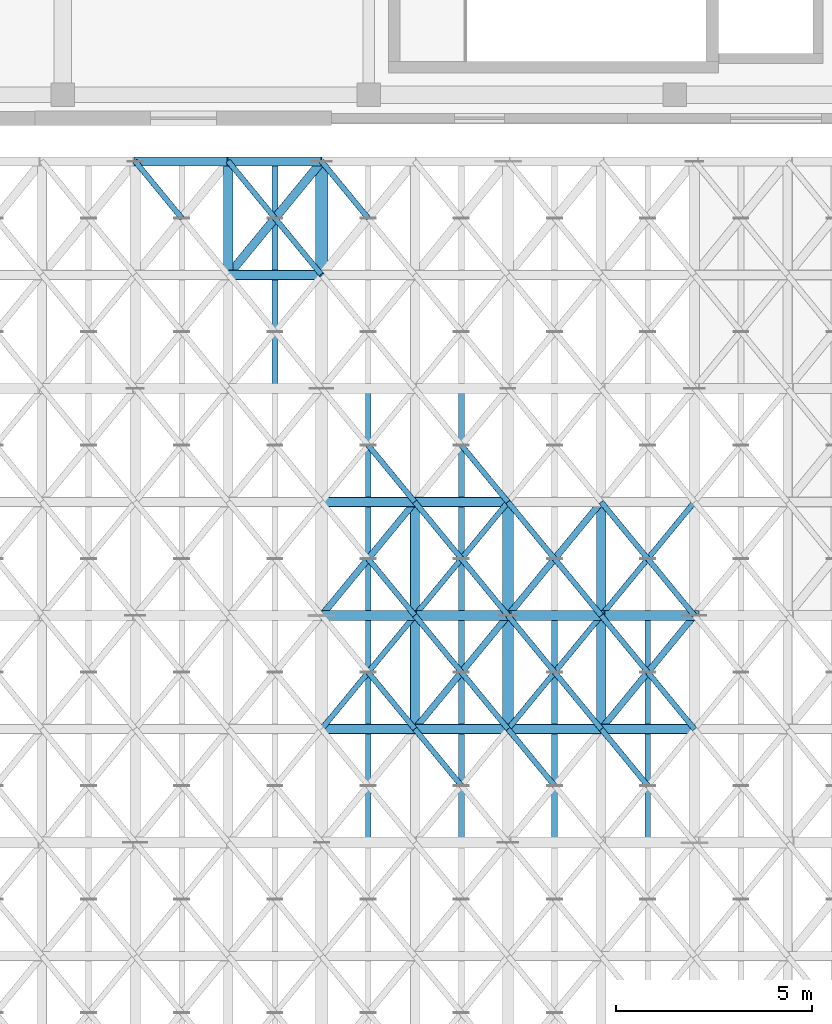
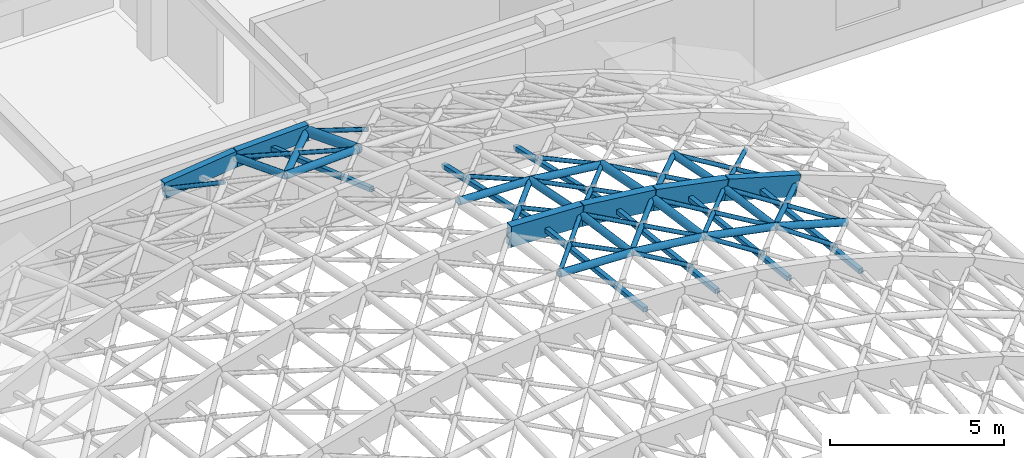
# One storey, part 71 of 146: 54 members, 6 beams.
"""IFC4 building model written with IfcOpenShell, lengths in metres."""

from ifc_helpers import new_model, si_unit, direction, frame, origin, origin_2d, place, context, subcontext, project, spatial, rectangle, hollow_rectangle, hollow_circle, extrude, material, material_profile, profile_set, type_object, element, save


model = new_model("IFC4")

# Units and contexts
model_context = context("Model", 3, precision=1e-05, world=origin(), true_north=direction((0.0, 1.0)))
body_context = subcontext(model_context, "Body", "Model", "MODEL_VIEW")
ifc_project = project(units=[si_unit("LENGTHUNIT", "METRE"), si_unit("AREAUNIT", "SQUARE_METRE"), si_unit("VOLUMEUNIT", "CUBIC_METRE"), si_unit("PLANEANGLEUNIT", "RADIAN"), si_unit("MASSUNIT", "GRAM", prefix="KILO")], contexts=[model_context])

# Site, building, storey
site_placement = place(None, origin())
site = spatial("IfcSite", under=ifc_project, at=site_placement, CompositionType="ELEMENT")
building_placement = place(site_placement, origin())
building = spatial("IfcBuilding", under=site, at=building_placement, Name="Valcora Specialist Clinic", CompositionType="ELEMENT")
storey_placement = place(building_placement, frame((0.0, 0.0, 9.52001953125)))
storey = spatial("IfcBuildingStorey", under=building, at=storey_placement, Name="L02", CompositionType="ELEMENT", Elevation=9.52001953125)

# Beams
ifc_material_1 = material(Name="Glulam Conifer Class 24F", Category="wood")
ifc_material_profile_1 = material_profile(ifc_material_1, rectangle(XDim=0.219970703125, YDim=0.56005859375, at=origin_2d()), Name="GL-ARC-220X560")
ifc_profile_set_1 = profile_set([ifc_material_profile_1], Name="Glulam Conifer Class 24F")
beam_type_1 = type_object("IfcBeamType", Name="TY-AR-GL560", PredefinedType="JOIST", material=ifc_profile_set_1)
beam_1_placement = place(storey_placement, frame((10.25, 79.25, 3.920654296875), z_axis=(0.993061123194, 0.0, 0.117599343536), x_axis=(0.0, 1.0, 0.0)))
element("IfcBeam", 1, at=beam_1_placement, inside=storey, type_object=beam_type_1, Name="Gridshell glulam arch chord BM-GSA-089", PredefinedType="JOIST", context=body_context, shape_type="SweptSolid", body=[
    extrude(rectangle(XDim=0.219970703125, YDim=0.56005859375, at=origin_2d()), origin(), (0.0, 0.0, 1.0), 2.3916015625),
])
beam_2_placement = place(storey_placement, frame((12.625, 79.25, 4.201904296875), z_axis=(0.999229898969, 0.0, 0.039237851707), x_axis=(0.0, 1.0, 0.0)))
element("IfcBeam", 2, at=beam_2_placement, inside=storey, type_object=beam_type_1, Name="Gridshell glulam arch chord BM-GSA-090", PredefinedType="JOIST", context=body_context, shape_type="SweptSolid", body=[
    extrude(rectangle(XDim=0.219970703125, YDim=0.56005859375, at=origin_2d()), origin(), (0.0, 0.0, 1.0), 2.376708984375),
])
ifc_material_profile_2 = material_profile(ifc_material_1, rectangle(XDim=0.260009765625, YDim=0.719970703125, at=origin_2d()), Name="GL-ARC-260X720")
ifc_profile_set_2 = profile_set([ifc_material_profile_2], Name="Glulam Conifer Class 24F")
beam_type_2 = type_object("IfcBeamType", Name="TY-AR-GL720", PredefinedType="JOIST", material=ifc_profile_set_2)
beam_3_placement = place(storey_placement, frame((15.0, 67.678955078125, 7.670654296875), z_axis=(0.999229898969, 0.0, -0.039237851707), x_axis=(0.0, 1.0, 0.0)))
element("IfcBeam", 3, at=beam_3_placement, inside=storey, type_object=beam_type_2, Name="Gridshell glulam arch chord BM-GSA-067", PredefinedType="JOIST", context=body_context, shape_type="SweptSolid", body=[
    extrude(rectangle(XDim=0.260009765625, YDim=0.719970703125, at=origin_2d()), origin(), (0.0, 0.0, 1.0), 2.376708984375),
])
beam_4_placement = place(storey_placement, frame((17.375, 67.678955078125, 7.577392578125), z_axis=(0.993061123194, 0.0, -0.117599343536), x_axis=(0.0, 1.0, 0.0)))
element("IfcBeam", 4, at=beam_4_placement, inside=storey, type_object=beam_type_2, Name="Gridshell glulam arch chord BM-GSA-068", PredefinedType="JOIST", context=body_context, shape_type="SweptSolid", body=[
    extrude(rectangle(XDim=0.260009765625, YDim=0.719970703125, at=origin_2d()), origin(), (0.0, 0.0, 1.0), 2.3916015625),
])
beam_5_placement = place(storey_placement, frame((19.75, 67.678955078125, 7.296142578125), z_axis=(0.980592304853, 0.0, -0.19605798036), x_axis=(0.0, 1.0, 0.0)))
element("IfcBeam", 5, at=beam_5_placement, inside=storey, type_object=beam_type_2, Name="Gridshell glulam arch chord BM-GSA-069", PredefinedType="JOIST", context=body_context, shape_type="SweptSolid", body=[
    extrude(rectangle(XDim=0.260009765625, YDim=0.719970703125, at=origin_2d()), origin(), (0.0, 0.0, 1.0), 2.422119140625),
])
beam_6_placement = place(storey_placement, frame((22.125, 67.678955078125, 6.8212890625), z_axis=(0.961639501517, 0.0, -0.274316366849), x_axis=(0.0, 1.0, 0.0)))
element("IfcBeam", 6, at=beam_6_placement, inside=storey, type_object=beam_type_2, Name="Gridshell glulam arch chord BM-GSA-070", PredefinedType="JOIST", context=body_context, shape_type="SweptSolid", body=[
    extrude(rectangle(XDim=0.260009765625, YDim=0.719970703125, at=origin_2d()), origin(), (0.0, 0.0, 1.0), 2.4697265625),
])

# Members
ifc_material_2 = material(Name="Steel ASTM A500 Grade C", Category="steel")
ifc_material_profile_3 = material_profile(ifc_material_2, hollow_circle(Radius=0.1220703125, WallThickness=0.010009765625, at=origin_2d()), Name="ST-CHS-244X10")
ifc_profile_set_3 = profile_set([ifc_material_profile_3], Name="Steel ASTM A500 Grade C")
member_type_1 = type_object("IfcMemberType", Name="TY-MB-GSC244", PredefinedType="CHORD", material=ifc_profile_set_3)
member_1_placement = place(storey_placement, frame((12.625, 76.35693359375, 5.324462890625), z_axis=(0.0, 0.93227902247, -0.361739995386), x_axis=(-1.0, 0.0, 0.0)))
element("IfcMember", 7, at=member_1_placement, inside=storey, type_object=member_type_1, Name="Gridshell longitudinal chord MB-L02-0084", PredefinedType="CHORD", context=body_context, shape_type="SweptSolid", body=[
    extrude(hollow_circle(Radius=0.1220703125, WallThickness=0.010009765625, at=origin_2d()), origin(), (0.0, 0.0, 1.0), 3.103271484375),
])
member_2_placement = place(storey_placement, frame((17.375, 64.785888671875, 7.98388671875), z_axis=(0.0, 0.990272777431, -0.139139592778), x_axis=(-1.0, 0.0, 0.0)))
element("IfcMember", 8, at=member_2_placement, inside=storey, type_object=member_type_1, Name="Gridshell longitudinal chord MB-L02-0108", PredefinedType="CHORD", context=body_context, shape_type="SweptSolid", body=[
    extrude(hollow_circle(Radius=0.1220703125, WallThickness=0.010009765625, at=origin_2d()), origin(), (0.0, 0.0, 1.0), 2.92138671875),
])
member_3_placement = place(storey_placement, frame((17.375, 67.678955078125, 7.577392578125), z_axis=(0.0, 0.980853597768, -0.194746552587), x_axis=(-1.0, 0.0, 0.0)))
element("IfcMember", 9, at=member_3_placement, inside=storey, type_object=member_type_1, Name="Gridshell longitudinal chord MB-L02-0109", PredefinedType="CHORD", context=body_context, shape_type="SweptSolid", body=[
    extrude(hollow_circle(Radius=0.1220703125, WallThickness=0.010009765625, at=origin_2d()), origin(), (0.0, 0.0, 1.0), 2.948486328125),
])
member_4_placement = place(storey_placement, frame((22.125, 64.785888671875, 7.227783203125), z_axis=(0.0, 0.990272777431, -0.139139592778), x_axis=(-1.0, 0.0, 0.0)))
element("IfcMember", 10, at=member_4_placement, inside=storey, type_object=member_type_1, Name="Gridshell longitudinal chord MB-L02-0136", PredefinedType="CHORD", context=body_context, shape_type="SweptSolid", body=[
    extrude(hollow_circle(Radius=0.1220703125, WallThickness=0.010009765625, at=origin_2d()), origin(), (0.0, 0.0, 1.0), 2.92138671875),
])
member_5_placement = place(storey_placement, frame((22.125, 67.678955078125, 6.8212890625), z_axis=(0.0, 0.980853597768, -0.194746552587), x_axis=(-1.0, 0.0, 0.0)))
element("IfcMember", 11, at=member_5_placement, inside=storey, type_object=member_type_1, Name="Gridshell longitudinal chord MB-L02-0137", PredefinedType="CHORD", context=body_context, shape_type="SweptSolid", body=[
    extrude(hollow_circle(Radius=0.1220703125, WallThickness=0.010009765625, at=origin_2d()), origin(), (0.0, 0.0, 1.0), 2.948486328125),
])
member_6_placement = place(storey_placement, frame((15.0, 64.785888671875, 8.0771484375), z_axis=(0.999229898969, 0.0, -0.039237851707), x_axis=(0.0, 1.0, 0.0)))
element("IfcMember", 12, at=member_6_placement, inside=storey, type_object=member_type_1, Name="Gridshell secondary transverse chord MB-L02-0321", PredefinedType="CHORD", context=body_context, shape_type="SweptSolid", body=[
    extrude(hollow_circle(Radius=0.1220703125, WallThickness=0.010009765625, at=origin_2d()), origin(), (0.0, 0.0, 1.0), 2.376708984375),
])
member_7_placement = place(storey_placement, frame((17.375, 64.785888671875, 7.98388671875), z_axis=(0.993061123194, 0.0, -0.117599343536), x_axis=(0.0, 1.0, 0.0)))
element("IfcMember", 13, at=member_7_placement, inside=storey, type_object=member_type_1, Name="Gridshell secondary transverse chord MB-L02-0322", PredefinedType="CHORD", context=body_context, shape_type="SweptSolid", body=[
    extrude(hollow_circle(Radius=0.1220703125, WallThickness=0.010009765625, at=origin_2d()), origin(), (0.0, 0.0, 1.0), 2.3916015625),
])
member_8_placement = place(storey_placement, frame((19.75, 64.785888671875, 7.70263671875), z_axis=(0.980592304853, 0.0, -0.19605798036), x_axis=(0.0, 1.0, 0.0)))
element("IfcMember", 14, at=member_8_placement, inside=storey, type_object=member_type_1, Name="Gridshell secondary transverse chord MB-L02-0323", PredefinedType="CHORD", context=body_context, shape_type="SweptSolid", body=[
    extrude(hollow_circle(Radius=0.1220703125, WallThickness=0.010009765625, at=origin_2d()), origin(), (0.0, 0.0, 1.0), 2.422119140625),
])
member_9_placement = place(storey_placement, frame((22.125, 64.785888671875, 7.227783203125), z_axis=(0.961613421173, 0.0, -0.274407777259), x_axis=(0.0, 1.0, 0.0)))
element("IfcMember", 15, at=member_9_placement, inside=storey, type_object=member_type_1, Name="Gridshell secondary transverse chord MB-L02-0324", PredefinedType="CHORD", context=body_context, shape_type="SweptSolid", body=[
    extrude(hollow_circle(Radius=0.1220703125, WallThickness=0.010009765625, at=origin_2d()), origin(), (0.0, 0.0, 1.0), 2.4697265625),
])
member_10_placement = place(storey_placement, frame((15.0, 70.571044921875, 7.09619140625), z_axis=(0.999233921008, 0.0, -0.039135292342), x_axis=(0.0, 1.0, 0.0)))
element("IfcMember", 16, at=member_10_placement, inside=storey, type_object=member_type_1, Name="Gridshell secondary transverse chord MB-L02-0333", PredefinedType="CHORD", context=body_context, shape_type="SweptSolid", body=[
    extrude(hollow_circle(Radius=0.1220703125, WallThickness=0.010009765625, at=origin_2d()), origin(), (0.0, 0.0, 1.0), 2.376708984375),
])
member_11_placement = place(storey_placement, frame((17.375, 70.571044921875, 7.003173828125), z_axis=(0.993049196669, 0.0, -0.117700012722), x_axis=(0.0, 1.0, 0.0)))
element("IfcMember", 17, at=member_11_placement, inside=storey, type_object=member_type_1, Name="Gridshell secondary transverse chord MB-L02-0334", PredefinedType="CHORD", context=body_context, shape_type="SweptSolid", body=[
    extrude(hollow_circle(Radius=0.1220703125, WallThickness=0.010009765625, at=origin_2d()), origin(), (0.0, 0.0, 1.0), 2.3916015625),
])
member_12_placement = place(storey_placement, frame((12.625, 76.35693359375, 5.324462890625), z_axis=(0.999229898969, 0.0, 0.039237851707), x_axis=(0.0, 1.0, 0.0)))
element("IfcMember", 18, at=member_12_placement, inside=storey, type_object=member_type_1, Name="Gridshell secondary transverse chord MB-L02-0344", PredefinedType="CHORD", context=body_context, shape_type="SweptSolid", body=[
    extrude(hollow_circle(Radius=0.1220703125, WallThickness=0.010009765625, at=origin_2d()), origin(), (0.0, 0.0, 1.0), 2.376708984375),
])
ifc_material_profile_4 = material_profile(ifc_material_2, hollow_circle(Radius=0.136474609375, WallThickness=0.011962890625, at=origin_2d()), Name="ST-CHS-273X12")
ifc_profile_set_4 = profile_set([ifc_material_profile_4], Name="Steel ASTM A500 Grade C")
member_type_2 = type_object("IfcMemberType", Name="TY-MB-GSC273", PredefinedType="CHORD", material=ifc_profile_set_4)
member_13_placement = place(storey_placement, frame((19.75, 64.785888671875, 7.70263671875), z_axis=(0.0, 0.990272777431, -0.139139592778), x_axis=(-1.0, 0.0, 0.0)))
element("IfcMember", 19, at=member_13_placement, inside=storey, type_object=member_type_2, Name="Gridshell longitudinal chord MB-L02-0122", PredefinedType="CHORD", context=body_context, shape_type="SweptSolid", body=[
    extrude(hollow_circle(Radius=0.136474609375, WallThickness=0.011962890625, at=origin_2d()), origin(), (0.0, 0.0, 1.0), 2.92138671875),
])
member_14_placement = place(storey_placement, frame((19.75, 67.678955078125, 7.296142578125), z_axis=(0.0, 0.980837778433, -0.194826210759), x_axis=(-1.0, 0.0, 0.0)))
element("IfcMember", 20, at=member_14_placement, inside=storey, type_object=member_type_2, Name="Gridshell longitudinal chord MB-L02-0123", PredefinedType="CHORD", context=body_context, shape_type="SweptSolid", body=[
    extrude(hollow_circle(Radius=0.136474609375, WallThickness=0.011962890625, at=origin_2d()), origin(), (0.0, 0.0, 1.0), 2.948486328125),
])
ifc_material_profile_5 = material_profile(ifc_material_2, hollow_circle(Radius=0.162109375, WallThickness=0.011962890625, at=origin_2d()), Name="ST-CHS-324X12")
ifc_profile_set_5 = profile_set([ifc_material_profile_5], Name="Steel ASTM A500 Grade C")
member_type_3 = type_object("IfcMemberType", Name="TY-MB-GSC324", PredefinedType="CHORD", material=ifc_profile_set_5)
member_15_placement = place(storey_placement, frame((15.0, 76.35693359375, 5.417724609375), z_axis=(0.0, 0.93227902247, -0.361739995386), x_axis=(-1.0, 0.0, 0.0)))
element("IfcMember", 21, at=member_15_placement, inside=storey, type_object=member_type_3, Name="Gridshell longitudinal chord MB-L02-0098", PredefinedType="CHORD", context=body_context, shape_type="SweptSolid", body=[
    extrude(hollow_circle(Radius=0.162109375, WallThickness=0.011962890625, at=origin_2d()), origin(), (0.0, 0.0, 1.0), 3.103271484375),
])
ifc_material_profile_6 = material_profile(ifc_material_2, hollow_circle(Radius=0.070068359375, WallThickness=0.006103515625, at=origin_2d()), Name="ST-CHS-140X6")
ifc_profile_set_6 = profile_set([ifc_material_profile_6], Name="Steel ASTM A500 Grade C")
member_type_4 = type_object("IfcMemberType", Name="TY-MB-GSD140", PredefinedType="BRACE", material=ifc_profile_set_6)
member_16_placement = place(storey_placement, frame((15.0, 76.35693359375, 5.417724609375), z_axis=(-0.603471061066, 0.735108149017, -0.308931525916), x_axis=(-0.772915884105, -0.634508499626, 0.0)))
element("IfcMember", 22, at=member_16_placement, inside=storey, type_object=member_type_4, Name="Gridshell split counter diagrid A MB-L02-0518", PredefinedType="BRACE", context=body_context, shape_type="SweptSolid", body=[
    extrude(hollow_circle(Radius=0.070068359375, WallThickness=0.006103515625, at=origin_2d()), origin(), (0.0, 0.0, 1.0), 1.9677734375),
])
member_17_placement = place(storey_placement, frame((15.0, 64.785888671875, 8.0771484375), z_axis=(0.628927507882, 0.76611749264, -0.132341139868), x_axis=(-0.772915884105, 0.634508499626, 0.0)))
element("IfcMember", 23, at=member_17_placement, inside=storey, type_object=member_type_4, Name="Gridshell primary diagrid MB-L02-0537", PredefinedType="BRACE", context=body_context, shape_type="SweptSolid", body=[
    extrude(hollow_circle(Radius=0.070068359375, WallThickness=0.006103515625, at=origin_2d()), origin(), (0.0, 0.0, 1.0), 3.7763671875),
])
member_18_placement = place(storey_placement, frame((17.375, 64.785888671875, 7.98388671875), z_axis=(-0.632301810899, 0.770227843251, -0.083327602958), x_axis=(-0.772915884105, -0.634508499626, 0.0)))
element("IfcMember", 24, at=member_18_placement, inside=storey, type_object=member_type_4, Name="Gridshell split counter diagrid A MB-L02-0538", PredefinedType="BRACE", context=body_context, shape_type="SweptSolid", body=[
    extrude(hollow_circle(Radius=0.070068359375, WallThickness=0.006103515625, at=origin_2d()), origin(), (0.0, 0.0, 1.0), 1.878173828125),
])
member_19_placement = place(storey_placement, frame((17.375, 67.678955078125, 7.577392578125), z_axis=(-0.629459317949, 0.766506484419, -0.127470688359), x_axis=(-0.772810813765, -0.634636467694, 0.0)))
element("IfcMember", 25, at=member_19_placement, inside=storey, type_object=member_type_4, Name="Gridshell split counter diagrid A MB-L02-0540", PredefinedType="BRACE", context=body_context, shape_type="SweptSolid", body=[
    extrude(hollow_circle(Radius=0.070068359375, WallThickness=0.006103515625, at=origin_2d()), origin(), (0.0, 0.0, 1.0), 1.886474609375),
])
member_20_placement = place(storey_placement, frame((17.375, 70.571044921875, 7.003173828125), z_axis=(-0.625003429978, 0.761337442973, -0.172441324636), x_axis=(-0.772915884105, -0.634508499626, 0.0)))
element("IfcMember", 26, at=member_20_placement, inside=storey, type_object=member_type_4, Name="Gridshell split counter diagrid A MB-L02-0542", PredefinedType="BRACE", context=body_context, shape_type="SweptSolid", body=[
    extrude(hollow_circle(Radius=0.070068359375, WallThickness=0.006103515625, at=origin_2d()), origin(), (0.0, 0.0, 1.0), 1.89990234375),
])
member_21_placement = place(storey_placement, frame((19.75, 64.785888671875, 7.70263671875), z_axis=(-0.634152216266, 0.772481883507, -0.033506809124), x_axis=(-0.772915884105, -0.634508499626, 0.0)))
element("IfcMember", 27, at=member_21_placement, inside=storey, type_object=member_type_4, Name="Gridshell split counter diagrid A MB-L02-0566", PredefinedType="BRACE", context=body_context, shape_type="SweptSolid", body=[
    extrude(hollow_circle(Radius=0.070068359375, WallThickness=0.006103515625, at=origin_2d()), origin(), (0.0, 0.0, 1.0), 1.87255859375),
])
member_22_placement = place(storey_placement, frame((17.375, 67.678955078125, 7.577392578125), z_axis=(0.618668904494, 0.75336676014, -0.222906508044), x_axis=(-0.772810813765, 0.634636467694, 0.0)))
element("IfcMember", 28, at=member_22_placement, inside=storey, type_object=member_type_4, Name="Gridshell primary diagrid MB-L02-0567", PredefinedType="BRACE", context=body_context, shape_type="SweptSolid", body=[
    extrude(hollow_circle(Radius=0.070068359375, WallThickness=0.006103515625, at=origin_2d()), origin(), (0.0, 0.0, 1.0), 3.8388671875),
])
member_23_placement = place(storey_placement, frame((19.75, 67.678955078125, 7.296142578125), z_axis=(-0.632700626183, 0.770453496892, -0.078046952243), x_axis=(-0.772810813765, -0.634636467694, 0.0)))
element("IfcMember", 29, at=member_23_placement, inside=storey, type_object=member_type_4, Name="Gridshell split counter diagrid A MB-L02-0568", PredefinedType="BRACE", context=body_context, shape_type="SweptSolid", body=[
    extrude(hollow_circle(Radius=0.070068359375, WallThickness=0.006103515625, at=origin_2d()), origin(), (0.0, 0.0, 1.0), 1.876953125),
])
member_24_placement = place(storey_placement, frame((19.75, 70.571044921875, 6.7216796875), z_axis=(-0.629631183189, 0.76697466291, -0.12375152367), x_axis=(-0.772915884105, -0.634508499626, 0.0)))
element("IfcMember", 30, at=member_24_placement, inside=storey, type_object=member_type_4, Name="Gridshell split counter diagrid A MB-L02-0570", PredefinedType="BRACE", context=body_context, shape_type="SweptSolid", body=[
    extrude(hollow_circle(Radius=0.070068359375, WallThickness=0.006103515625, at=origin_2d()), origin(), (0.0, 0.0, 1.0), 1.885986328125),
])
member_25_placement = place(storey_placement, frame((19.75, 64.785888671875, 7.70263671875), z_axis=(0.617618322937, 0.752341398726, -0.229194299527), x_axis=(-0.772915884105, 0.634508499626, 0.0)))
element("IfcMember", 31, at=member_25_placement, inside=storey, type_object=member_type_4, Name="Gridshell primary diagrid MB-L02-0593", PredefinedType="BRACE", context=body_context, shape_type="SweptSolid", body=[
    extrude(hollow_circle(Radius=0.070068359375, WallThickness=0.006103515625, at=origin_2d()), origin(), (0.0, 0.0, 1.0), 3.845458984375),
])
for number, where, z_axis, x_axis, name in (
    (32, (22.125, 64.785888671875, 7.227783203125), (-0.634402710105, 0.772787018374, 0.018259946426), (-0.772915884105, -0.634508499626, 0.0), "Gridshell split counter diagrid A MB-L02-0594"),
    (33, (22.125, 67.678955078125, 6.8212890625), (-0.634411775705, 0.772537201378, -0.026607730724), (-0.772810813765, -0.634636467694, 0.0), "Gridshell split counter diagrid A MB-L02-0596"),
):
    element("IfcMember", number, at=place(storey_placement, frame(where, z_axis=z_axis, x_axis=x_axis)), inside=storey, type_object=member_type_4, Name=name, PredefinedType="BRACE", context=body_context, shape_type="SweptSolid", body=[
        extrude(hollow_circle(Radius=0.070068359375, WallThickness=0.006103515625, at=origin_2d()), origin(), (0.0, 0.0, 1.0), 1.871826171875),
    ])
member_26_placement = place(storey_placement, frame((24.5, 64.785888671875, 6.550048828125), z_axis=(-0.632846100088, 0.770890859996, 0.072340138086), x_axis=(-0.772915884105, -0.634508499626, 0.0)))
element("IfcMember", 34, at=member_26_placement, inside=storey, type_object=member_type_4, Name="Gridshell split counter diagrid A MB-L02-0622", PredefinedType="BRACE", context=body_context, shape_type="SweptSolid", body=[
    extrude(hollow_circle(Radius=0.070068359375, WallThickness=0.006103515625, at=origin_2d()), origin(), (0.0, 0.0, 1.0), 1.87646484375),
])
member_27_placement = place(storey_placement, frame((22.125, 67.678955078125, 6.8212890625), z_axis=(0.601850593551, 0.732886732237, -0.317258413212), x_axis=(-0.772810813765, 0.634636467694, 0.0)))
element("IfcMember", 35, at=member_27_placement, inside=storey, type_object=member_type_4, Name="Gridshell primary diagrid MB-L02-0623", PredefinedType="BRACE", context=body_context, shape_type="SweptSolid", body=[
    extrude(hollow_circle(Radius=0.070068359375, WallThickness=0.006103515625, at=origin_2d()), origin(), (0.0, 0.0, 1.0), 3.946044921875),
])
member_28_placement = place(storey_placement, frame((24.5, 67.678955078125, 6.143798828125), z_axis=(-0.634396100017, 0.772518112747, 0.027520061082), x_axis=(-0.772810813765, -0.634636467694, 0.0)))
element("IfcMember", 36, at=member_28_placement, inside=storey, type_object=member_type_4, Name="Gridshell split counter diagrid A MB-L02-0624", PredefinedType="BRACE", context=body_context, shape_type="SweptSolid", body=[
    extrude(hollow_circle(Radius=0.070068359375, WallThickness=0.006103515625, at=origin_2d()), origin(), (0.0, 0.0, 1.0), 1.871826171875),
])
member_29_placement = place(storey_placement, frame((11.4375, 77.803466796875, 4.62255859375), z_axis=(-0.594100310582, 0.723693326521, -0.351159209071), x_axis=(-0.772915884105, -0.634508499626, 0.0)))
element("IfcMember", 37, at=member_29_placement, inside=storey, type_object=member_type_4, Name="Gridshell split counter diagrid B 70", PredefinedType="BRACE", context=body_context, shape_type="SweptSolid", body=[
    extrude(hollow_circle(Radius=0.070068359375, WallThickness=0.006103515625, at=origin_2d()), origin(), (0.0, 0.0, 1.0), 1.998779296875),
])
member_30_placement = place(storey_placement, frame((13.8125, 77.803466796875, 4.809814453125), z_axis=(-0.603471061066, 0.735108149017, -0.308931525916), x_axis=(-0.772915884105, -0.634508499626, 0.0)))
element("IfcMember", 38, at=member_30_placement, inside=storey, type_object=member_type_4, Name="Gridshell split counter diagrid B 84", PredefinedType="BRACE", context=body_context, shape_type="SweptSolid", body=[
    extrude(hollow_circle(Radius=0.070068359375, WallThickness=0.006103515625, at=origin_2d()), origin(), (0.0, 0.0, 1.0), 1.9677734375),
])
member_31_placement = place(storey_placement, frame((16.1875, 77.803466796875, 4.809814453125), z_axis=(-0.611798320584, 0.745251860498, -0.265146147161), x_axis=(-0.772915884105, -0.634508499626, 0.0)))
element("IfcMember", 39, at=member_31_placement, inside=storey, type_object=member_type_4, Name="Gridshell split counter diagrid B 98", PredefinedType="BRACE", context=body_context, shape_type="SweptSolid", body=[
    extrude(hollow_circle(Radius=0.070068359375, WallThickness=0.006103515625, at=origin_2d()), origin(), (0.0, 0.0, 1.0), 1.94091796875),
])
member_32_placement = place(storey_placement, frame((18.5625, 63.339599609375, 7.964599609375), z_axis=(-0.634538778122, 0.772822311183, 0.010306036898), x_axis=(-0.772863356881, -0.634572479384, 0.0)))
element("IfcMember", 40, at=member_32_placement, inside=storey, type_object=member_type_4, Name="Gridshell split counter diagrid B 107", PredefinedType="BRACE", context=body_context, shape_type="SweptSolid", body=[
    extrude(hollow_circle(Radius=0.070068359375, WallThickness=0.006103515625, at=origin_2d()), origin(), (0.0, 0.0, 1.0), 1.871337890625),
])
member_33_placement = place(storey_placement, frame((18.5625, 66.232421875, 7.639892578125), z_axis=(-0.634154981193, 0.772485251556, -0.033376577958), x_axis=(-0.772915884105, -0.634508499626, 0.0)))
element("IfcMember", 41, at=member_33_placement, inside=storey, type_object=member_type_4, Name="Gridshell split counter diagrid B 108", PredefinedType="BRACE", context=body_context, shape_type="SweptSolid", body=[
    extrude(hollow_circle(Radius=0.070068359375, WallThickness=0.006103515625, at=origin_2d()), origin(), (0.0, 0.0, 1.0), 1.87255859375),
])
member_34_placement = place(storey_placement, frame((18.5625, 69.125, 7.149658203125), z_axis=(-0.632700626183, 0.770453496892, -0.078046952243), x_axis=(-0.772810813765, -0.634636467694, 0.0)))
element("IfcMember", 42, at=member_34_placement, inside=storey, type_object=member_type_4, Name="Gridshell split counter diagrid B 109", PredefinedType="BRACE", context=body_context, shape_type="SweptSolid", body=[
    extrude(hollow_circle(Radius=0.070068359375, WallThickness=0.006103515625, at=origin_2d()), origin(), (0.0, 0.0, 1.0), 1.876953125),
])
member_35_placement = place(storey_placement, frame((20.9375, 63.339599609375, 7.58642578125), z_axis=(-0.63335240429, 0.771377393712, 0.061981032986), x_axis=(-0.772863356881, -0.634572479384, 0.0)))
element("IfcMember", 43, at=member_35_placement, inside=storey, type_object=member_type_4, Name="Gridshell split counter diagrid B 121", PredefinedType="BRACE", context=body_context, shape_type="SweptSolid", body=[
    extrude(hollow_circle(Radius=0.070068359375, WallThickness=0.006103515625, at=origin_2d()), origin(), (0.0, 0.0, 1.0), 1.875),
])
for number, where, z_axis, x_axis, name in (
    (44, (20.9375, 66.232421875, 7.261962890625), (-0.634402710105, 0.772787018374, 0.018259946426), (-0.772915884105, -0.634508499626, 0.0), "Gridshell split counter diagrid B 122"),
    (45, (20.9375, 69.125, 6.771484375), (-0.634411775705, 0.772537201378, -0.026607730724), (-0.772810813765, -0.634636467694, 0.0), "Gridshell split counter diagrid B 123"),
):
    element("IfcMember", number, at=place(storey_placement, frame(where, z_axis=z_axis, x_axis=x_axis)), inside=storey, type_object=member_type_4, Name=name, PredefinedType="BRACE", context=body_context, shape_type="SweptSolid", body=[
        extrude(hollow_circle(Radius=0.070068359375, WallThickness=0.006103515625, at=origin_2d()), origin(), (0.0, 0.0, 1.0), 1.871826171875),
    ])
member_36_placement = place(storey_placement, frame((23.3125, 63.339599609375, 7.01025390625), z_axis=(-0.630328162974, 0.767694086648, 0.115465130183), x_axis=(-0.772863356881, -0.634572479384, 0.0)))
element("IfcMember", 46, at=member_36_placement, inside=storey, type_object=member_type_4, Name="Gridshell split counter diagrid B 135", PredefinedType="BRACE", context=body_context, shape_type="SweptSolid", body=[
    extrude(hollow_circle(Radius=0.070068359375, WallThickness=0.006103515625, at=origin_2d()), origin(), (0.0, 0.0, 1.0), 1.884033203125),
])
member_37_placement = place(storey_placement, frame((23.3125, 66.232421875, 6.685791015625), z_axis=(-0.63285205119, 0.770898109231, 0.072210708966), x_axis=(-0.772915884105, -0.634508499626, 0.0)))
element("IfcMember", 47, at=member_37_placement, inside=storey, type_object=member_type_4, Name="Gridshell split counter diagrid B 136", PredefinedType="BRACE", context=body_context, shape_type="SweptSolid", body=[
    extrude(hollow_circle(Radius=0.070068359375, WallThickness=0.006103515625, at=origin_2d()), origin(), (0.0, 0.0, 1.0), 1.87646484375),
])
member_38_placement = place(storey_placement, frame((23.3125, 69.125, 6.1953125), z_axis=(-0.634393817561, 0.77251533335, 0.02765038843), x_axis=(-0.772810813765, -0.634636467694, 0.0)))
element("IfcMember", 48, at=member_38_placement, inside=storey, type_object=member_type_4, Name="Gridshell split counter diagrid B 137", PredefinedType="BRACE", context=body_context, shape_type="SweptSolid", body=[
    extrude(hollow_circle(Radius=0.070068359375, WallThickness=0.006103515625, at=origin_2d()), origin(), (0.0, 0.0, 1.0), 1.871826171875),
])
ifc_material_profile_7 = material_profile(ifc_material_2, hollow_circle(Radius=0.083984375, WallThickness=0.008056640625, at=origin_2d()), Name="ST-CHS-168X8")
ifc_profile_set_7 = profile_set([ifc_material_profile_7], Name="Steel ASTM A500 Grade C")
member_type_5 = type_object("IfcMemberType", Name="TY-MB-GSD168", PredefinedType="BRACE", material=ifc_profile_set_7)
member_39_placement = place(storey_placement, frame((15.0, 67.678955078125, 7.670654296875), z_axis=(0.624776374395, 0.760803960844, -0.175589906209), x_axis=(-0.772810813765, 0.634636467694, 0.0)))
element("IfcMember", 49, at=member_39_placement, inside=storey, type_object=member_type_5, Name="Gridshell primary diagrid MB-L02-0539", PredefinedType="BRACE", context=body_context, shape_type="SweptSolid", body=[
    extrude(hollow_circle(Radius=0.083984375, WallThickness=0.008056640625, at=origin_2d()), origin(), (0.0, 0.0, 1.0), 3.80126953125),
])
member_40_placement = place(storey_placement, frame((17.375, 64.785888671875, 7.98388671875), z_axis=(0.624061798341, 0.760190410192, -0.18071361903), x_axis=(-0.772915884105, 0.634508499626, 0.0)))
element("IfcMember", 50, at=member_40_placement, inside=storey, type_object=member_type_5, Name="Gridshell primary diagrid MB-L02-0565", PredefinedType="BRACE", context=body_context, shape_type="SweptSolid", body=[
    extrude(hollow_circle(Radius=0.083984375, WallThickness=0.008056640625, at=origin_2d()), origin(), (0.0, 0.0, 1.0), 3.8056640625),
])
member_41_placement = place(storey_placement, frame((19.75, 67.678955078125, 7.296142578125), z_axis=(0.611079979619, 0.744125559063, -0.269922972083), x_axis=(-0.772810813765, 0.634636467694, 0.0)))
element("IfcMember", 51, at=member_41_placement, inside=storey, type_object=member_type_5, Name="Gridshell primary diagrid MB-L02-0595", PredefinedType="BRACE", context=body_context, shape_type="SweptSolid", body=[
    extrude(hollow_circle(Radius=0.083984375, WallThickness=0.008056640625, at=origin_2d()), origin(), (0.0, 0.0, 1.0), 3.886474609375),
])
member_42_placement = place(storey_placement, frame((22.125, 64.785888671875, 7.227783203125), z_axis=(0.609465809075, 0.742410550734, -0.278169016477), x_axis=(-0.772915884105, 0.634508499626, 0.0)))
element("IfcMember", 52, at=member_42_placement, inside=storey, type_object=member_type_5, Name="Gridshell primary diagrid MB-L02-0621", PredefinedType="BRACE", context=body_context, shape_type="SweptSolid", body=[
    extrude(hollow_circle(Radius=0.083984375, WallThickness=0.008056640625, at=origin_2d()), origin(), (0.0, 0.0, 1.0), 3.89697265625),
])
ifc_material_profile_8 = material_profile(ifc_material_2, hollow_circle(Radius=0.109619140625, WallThickness=0.010009765625, at=origin_2d()), Name="ST-CHS-219X10")
ifc_profile_set_8 = profile_set([ifc_material_profile_8], Name="Steel ASTM A500 Grade C")
member_type_6 = type_object("IfcMemberType", Name="TY-MB-GSD219", PredefinedType="BRACE", material=ifc_profile_set_8)
member_43_placement = place(storey_placement, frame((12.625, 76.35693359375, 5.324462890625), z_axis=(0.611798320584, 0.745251860498, -0.265146147161), x_axis=(-0.772915884105, 0.634508499626, 0.0)))
element("IfcMember", 53, at=member_43_placement, inside=storey, type_object=member_type_6, Name="Gridshell primary diagrid MB-L02-0517", PredefinedType="BRACE", context=body_context, shape_type="SweptSolid", body=[
    extrude(hollow_circle(Radius=0.109619140625, WallThickness=0.010009765625, at=origin_2d()), origin(), (0.0, 0.0, 1.0), 3.882080078125),
])
ifc_material_profile_9 = material_profile(ifc_material_2, hollow_rectangle(XDim=0.14990234375, YDim=0.14990234375, WallThickness=0.006103515625, at=origin_2d()), Name="ST-RHS-150X150X6")
ifc_profile_set_9 = profile_set([ifc_material_profile_9], Name="Steel ASTM A500 Grade C")
member_type_7 = type_object("IfcMemberType", Name="TY-MB-PR150", PredefinedType="PURLIN", material=ifc_profile_set_9)
member_44_placement = place(storey_placement, frame((13.81201171875, 73.464111328125, 6.181396484375), z_axis=(0.0, 0.942431788241, -0.33439845172), x_axis=(-1.0, 0.0, 0.0)))
element("IfcMember", 54, at=member_44_placement, inside=storey, type_object=member_type_7, Name="Gridshell secondary purlin MB-L02-0224", PredefinedType="PURLIN", context=body_context, shape_type="SweptSolid", body=[
    extrude(hollow_rectangle(XDim=0.14990234375, YDim=0.14990234375, WallThickness=0.006103515625, at=origin_2d()), origin(), (0.0, 0.0, 1.0), 6.139404296875),
])
member_45_placement = place(storey_placement, frame((16.18798828125, 61.89306640625, 8.15283203125), z_axis=(0.0, 0.993769167561, -0.111457801906), x_axis=(-1.0, 0.0, 0.0)))
element("IfcMember", 55, at=member_45_placement, inside=storey, type_object=member_type_7, Name="Gridshell secondary purlin MB-L02-0229", PredefinedType="PURLIN", context=body_context, shape_type="SweptSolid", body=[
    extrude(hollow_rectangle(XDim=0.14990234375, YDim=0.14990234375, WallThickness=0.006103515625, at=origin_2d()), origin(), (0.0, 0.0, 1.0), 5.822265625),
])
member_46_placement = place(storey_placement, frame((16.18798828125, 67.678955078125, 7.50390625), z_axis=(0.0, 0.974851612216, -0.222854962161), x_axis=(-1.0, 0.0, 0.0)))
element("IfcMember", 56, at=member_46_placement, inside=storey, type_object=member_type_7, Name="Gridshell secondary purlin MB-L02-0230", PredefinedType="PURLIN", context=body_context, shape_type="SweptSolid", body=[
    extrude(hollow_rectangle(XDim=0.14990234375, YDim=0.14990234375, WallThickness=0.006103515625, at=origin_2d()), origin(), (0.0, 0.0, 1.0), 5.934326171875),
])
member_47_placement = place(storey_placement, frame((18.56201171875, 61.89306640625, 7.965576171875), z_axis=(0.0, 0.993773811353, -0.111416389585), x_axis=(-1.0, 0.0, 0.0)))
element("IfcMember", 57, at=member_47_placement, inside=storey, type_object=member_type_7, Name="Gridshell secondary purlin MB-L02-0236", PredefinedType="PURLIN", context=body_context, shape_type="SweptSolid", body=[
    extrude(hollow_rectangle(XDim=0.14990234375, YDim=0.14990234375, WallThickness=0.006103515625, at=origin_2d()), origin(), (0.0, 0.0, 1.0), 5.822021484375),
])
member_48_placement = place(storey_placement, frame((18.56201171875, 67.678955078125, 7.31689453125), z_axis=(0.0, 0.974842673844, -0.22289405836), x_axis=(-1.0, 0.0, 0.0)))
element("IfcMember", 58, at=member_48_placement, inside=storey, type_object=member_type_7, Name="Gridshell secondary purlin MB-L02-0237", PredefinedType="PURLIN", context=body_context, shape_type="SweptSolid", body=[
    extrude(hollow_rectangle(XDim=0.14990234375, YDim=0.14990234375, WallThickness=0.006103515625, at=origin_2d()), origin(), (0.0, 0.0, 1.0), 5.9345703125),
])
for number, where, z_axis, x_axis, name in (
    (59, (20.93798828125, 61.89306640625, 7.587646484375), (0.0, 0.993769167561, -0.111457801906), (-1.0, 0.0, 0.0), "Gridshell secondary purlin MB-L02-0243"),
    (60, (23.31201171875, 61.89306640625, 7.011474609375), (0.0, 0.993769167561, -0.111457801906), (-1.0, 0.0, 0.0), "Gridshell secondary purlin MB-L02-0250"),
):
    element("IfcMember", number, at=place(storey_placement, frame(where, z_axis=z_axis, x_axis=x_axis)), inside=storey, type_object=member_type_7, Name=name, PredefinedType="PURLIN", context=body_context, shape_type="SweptSolid", body=[
        extrude(hollow_rectangle(XDim=0.14990234375, YDim=0.14990234375, WallThickness=0.006103515625, at=origin_2d()), origin(), (0.0, 0.0, 1.0), 5.822265625),
    ])

save(model, "model.ifc")
